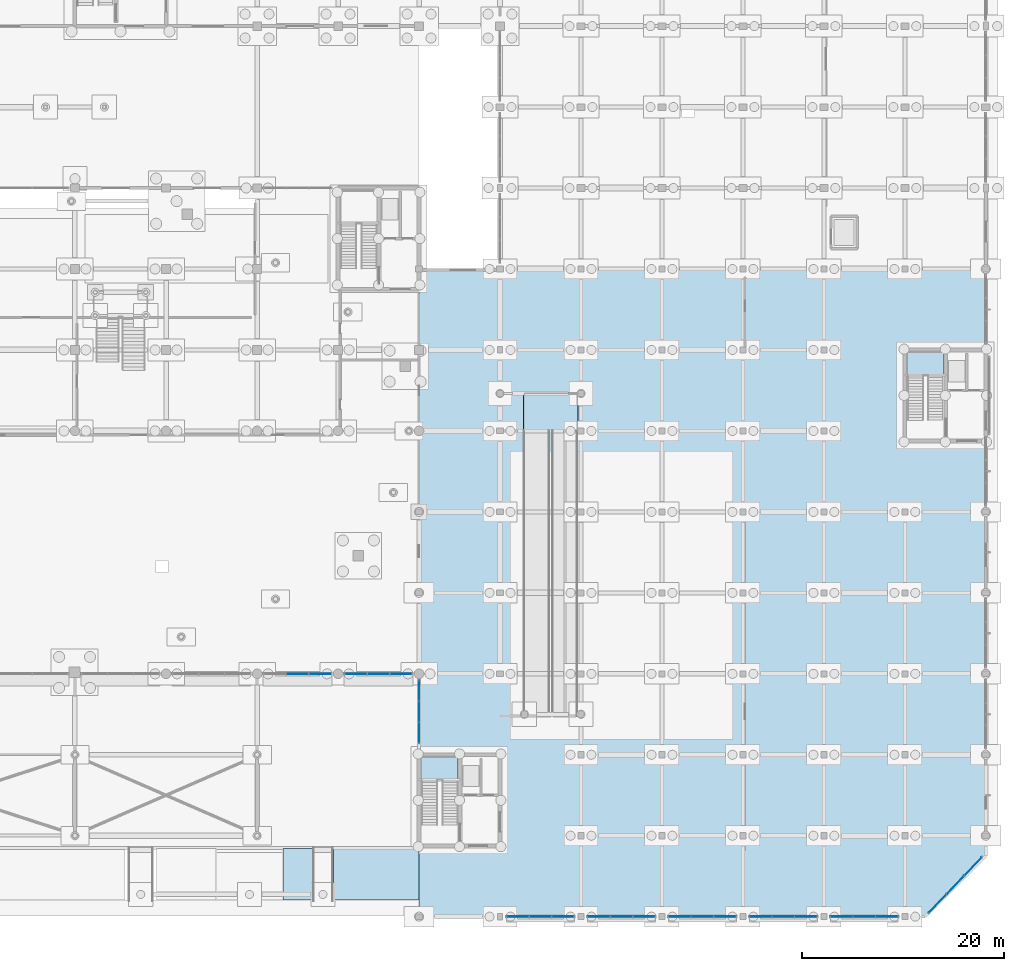
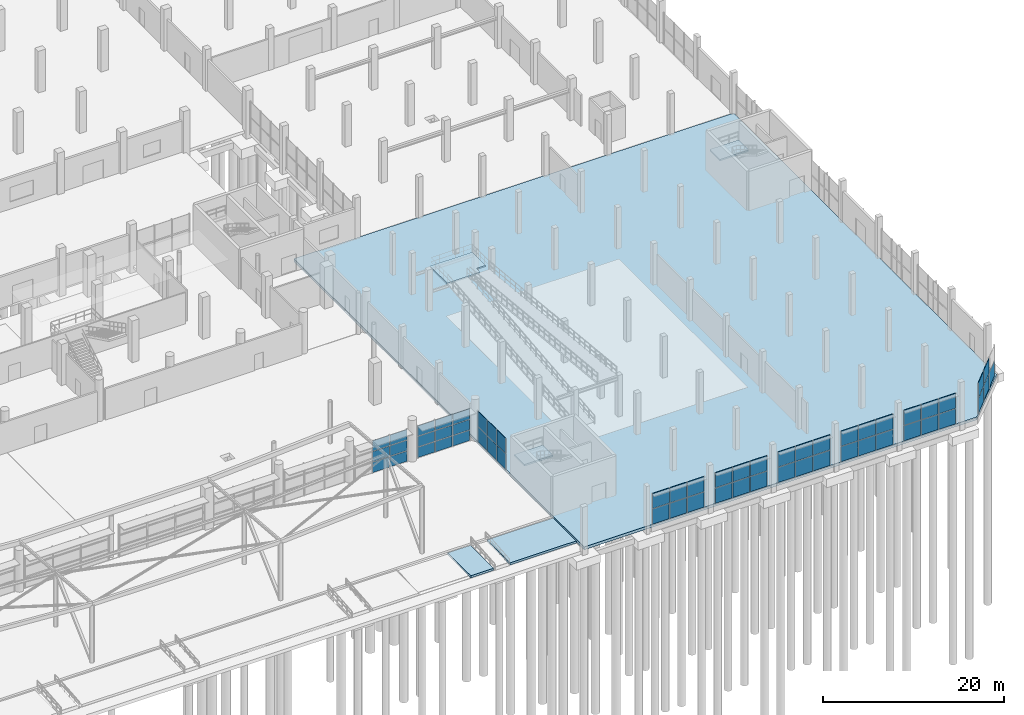
# One storey, part 67 of 98: 56 plates, 6 slabs, 12 elements without a shape of their own.
"""IFC4 building model written with IfcOpenShell, lengths in metres."""

from ifc_helpers import new_model, si_unit, derived_unit, direction, frame, origin, origin_2d, place, context, subcontext, project, spatial, polyline, rectangle, outline, extrude, material, layer, layer_set, type_object, element, aggregate, save


model = new_model("IFC4")

# Units and contexts
model_context = context("Model", 3, precision=1e-05, world=origin(), true_north=direction((0.0, 1.0)))
body_context = subcontext(model_context, "Body", "Model", "MODEL_VIEW")
ifc_project = project(units=[si_unit("LENGTHUNIT", "METRE"), si_unit("AREAUNIT", "SQUARE_METRE"), si_unit("VOLUMEUNIT", "CUBIC_METRE"), si_unit("PLANEANGLEUNIT", "RADIAN"), si_unit("MASSUNIT", "GRAM", prefix="KILO"), si_unit("THERMODYNAMICTEMPERATUREUNIT", "KELVIN"), derived_unit("THERMALTRANSMITTANCEUNIT", [(si_unit("POWERUNIT", "WATT"), 1), (si_unit("AREAUNIT", "SQUARE_METRE"), -1), (si_unit("THERMODYNAMICTEMPERATUREUNIT", "KELVIN"), -1)])], contexts=[model_context])

# Site, building, storey
site_placement = place(None, origin())
site = spatial("IfcSite", under=ifc_project, at=site_placement, CompositionType="ELEMENT")
building_placement = place(site_placement, origin())
building = spatial("IfcBuilding", under=site, at=building_placement, Name="Haiyu Intermodal Mobility Hub", CompositionType="ELEMENT")
storey_placement = place(building_placement, origin())
storey = spatial("IfcBuildingStorey", under=building, at=storey_placement, Name="L00", CompositionType="ELEMENT", Elevation=0.0)

# Curtain wall, plates
ifc_material_1 = material(Name="Low-e laminated insulating glass", Category="glass")
ifc_layer_1 = layer(ifc_material_1, 0.219970703125)
ifc_layer_set_1 = layer_set([ifc_layer_1], Name="Low-e laminated insulating glass")
curtain_wall_type_1 = type_object("IfcCurtainWallType", Name="CW-CW01", PredefinedType="NOTDEFINED", material=ifc_layer_set_1)
curtain_wall_1_placement = place(storey_placement, origin())
curtain_wall_1 = element("IfcCurtainWall", 1, at=curtain_wall_1_placement, inside=storey, type_object=curtain_wall_type_1, Name="Curtain Wall CW-V1S-L00-017", PredefinedType="NOTDEFINED")
ifc_layer_2 = layer(ifc_material_1, 0.035888671875)
ifc_layer_set_2 = layer_set([ifc_layer_2], Name="Low-e laminated insulating glass")
plate_type_1 = type_object("IfcPlateType", Name="PLT-CP01", PredefinedType="CURTAIN_PANEL", material=ifc_layer_set_2)
plate_1_placement = place(storey_placement, frame((142.0, 40.0, 0.03515625), z_axis=(0.0, 0.0, 1.0), x_axis=(1.0, 0.0, 0.0)))
plate_1 = element("IfcPlate", 2, at=plate_1_placement, type_object=plate_type_1, Name="CW-V1S-L00-017-PN04", PredefinedType="CURTAIN_PANEL", context=body_context, shape_type="SweptSolid", body=[
    extrude(rectangle(XDim=2.136962890625, YDim=0.035888671875, at=origin_2d()), origin(), (0.0, 0.0, 1.0), 1.3798828125),
])
plate_2_placement = place(storey_placement, frame((142.0, 40.0, 1.485107421875), z_axis=(0.0, 0.0, 1.0), x_axis=(1.0, 0.0, 0.0)))
plate_2 = element("IfcPlate", 3, at=plate_2_placement, type_object=plate_type_1, Name="CW-V1S-L00-017-PN05", PredefinedType="CURTAIN_PANEL", context=body_context, shape_type="SweptSolid", body=[
    extrude(rectangle(XDim=2.136962890625, YDim=0.035888671875, at=origin_2d()), origin(), (0.0, 0.0, 1.0), 1.3798828125),
])
plate_3_placement = place(storey_placement, frame((144.22705078125, 40.0, 0.03515625), z_axis=(0.0, 0.0, 1.0), x_axis=(1.0, 0.0, 0.0)))
plate_3 = element("IfcPlate", 4, at=plate_3_placement, type_object=plate_type_1, Name="CW-V1S-L00-017-PN07", PredefinedType="CURTAIN_PANEL", context=body_context, shape_type="SweptSolid", body=[
    extrude(rectangle(XDim=2.136962890625, YDim=0.035888671875, at=origin_2d()), origin(), (0.0, 0.0, 1.0), 1.3798828125),
])
plate_4_placement = place(storey_placement, frame((144.22705078125, 40.0, 1.485107421875), z_axis=(0.0, 0.0, 1.0), x_axis=(1.0, 0.0, 0.0)))
plate_4 = element("IfcPlate", 5, at=plate_4_placement, type_object=plate_type_1, Name="CW-V1S-L00-017-PN08", PredefinedType="CURTAIN_PANEL", context=body_context, shape_type="SweptSolid", body=[
    extrude(rectangle(XDim=2.136962890625, YDim=0.035888671875, at=origin_2d()), origin(), (0.0, 0.0, 1.0), 1.3798828125),
])

curtain_wall_2_placement = place(storey_placement, origin())
curtain_wall_2 = element("IfcCurtainWall", 6, at=curtain_wall_2_placement, inside=storey, type_object=curtain_wall_type_1, Name="Curtain Wall CW-V1S-L00-019", PredefinedType="NOTDEFINED")
plate_5_placement = place(storey_placement, frame((147.77294921875, 40.0, 0.03515625), z_axis=(0.0, 0.0, 1.0), x_axis=(1.0, 0.0, 0.0)))
plate_5 = element("IfcPlate", 7, at=plate_5_placement, type_object=plate_type_1, Name="CW-V1S-L00-019-PN01", PredefinedType="CURTAIN_PANEL", context=body_context, shape_type="SweptSolid", body=[
    extrude(rectangle(XDim=2.136962890625, YDim=0.035888671875, at=origin_2d()), origin(), (0.0, 0.0, 1.0), 1.3798828125),
])
plate_6_placement = place(storey_placement, frame((147.77294921875, 40.0, 1.485107421875), z_axis=(0.0, 0.0, 1.0), x_axis=(1.0, 0.0, 0.0)))
plate_6 = element("IfcPlate", 8, at=plate_6_placement, type_object=plate_type_1, Name="CW-V1S-L00-019-PN02", PredefinedType="CURTAIN_PANEL", context=body_context, shape_type="SweptSolid", body=[
    extrude(rectangle(XDim=2.136962890625, YDim=0.035888671875, at=origin_2d()), origin(), (0.0, 0.0, 1.0), 1.3798828125),
])
plate_7_placement = place(storey_placement, frame((150.0, 40.0, 0.03515625), z_axis=(0.0, 0.0, 1.0), x_axis=(1.0, 0.0, 0.0)))
plate_7 = element("IfcPlate", 9, at=plate_7_placement, type_object=plate_type_1, Name="CW-V1S-L00-019-PN04", PredefinedType="CURTAIN_PANEL", context=body_context, shape_type="SweptSolid", body=[
    extrude(rectangle(XDim=2.136962890625, YDim=0.035888671875, at=origin_2d()), origin(), (0.0, 0.0, 1.0), 1.3798828125),
])
plate_8_placement = place(storey_placement, frame((150.0, 40.0, 1.485107421875), z_axis=(0.0, 0.0, 1.0), x_axis=(1.0, 0.0, 0.0)))
plate_8 = element("IfcPlate", 10, at=plate_8_placement, type_object=plate_type_1, Name="CW-V1S-L00-019-PN05", PredefinedType="CURTAIN_PANEL", context=body_context, shape_type="SweptSolid", body=[
    extrude(rectangle(XDim=2.136962890625, YDim=0.035888671875, at=origin_2d()), origin(), (0.0, 0.0, 1.0), 1.3798828125),
])
plate_9_placement = place(storey_placement, frame((152.22705078125, 40.0, 0.03515625), z_axis=(0.0, 0.0, 1.0), x_axis=(1.0, 0.0, 0.0)))
plate_9 = element("IfcPlate", 11, at=plate_9_placement, type_object=plate_type_1, Name="CW-V1S-L00-019-PN07", PredefinedType="CURTAIN_PANEL", context=body_context, shape_type="SweptSolid", body=[
    extrude(rectangle(XDim=2.136962890625, YDim=0.035888671875, at=origin_2d()), origin(), (0.0, 0.0, 1.0), 1.3798828125),
])
plate_10_placement = place(storey_placement, frame((152.22705078125, 40.0, 1.485107421875), z_axis=(0.0, 0.0, 1.0), x_axis=(1.0, 0.0, 0.0)))
plate_10 = element("IfcPlate", 12, at=plate_10_placement, type_object=plate_type_1, Name="CW-V1S-L00-019-PN08", PredefinedType="CURTAIN_PANEL", context=body_context, shape_type="SweptSolid", body=[
    extrude(rectangle(XDim=2.136962890625, YDim=0.035888671875, at=origin_2d()), origin(), (0.0, 0.0, 1.0), 1.3798828125),
])

ifc_layer_3 = layer(ifc_material_1, 0.2099609375)
ifc_layer_set_3 = layer_set([ifc_layer_3], Name="Low-e laminated insulating glass")
curtain_wall_type_2 = type_object("IfcCurtainWallType", Name="CW-CW04", PredefinedType="NOTDEFINED", material=ifc_layer_set_3)
curtain_wall_3_placement = place(storey_placement, origin())
curtain_wall_3 = element("IfcCurtainWall", 13, at=curtain_wall_3_placement, inside=storey, type_object=curtain_wall_type_2, Name="Curtain Wall CW-V5S-L00-084", PredefinedType="NOTDEFINED")
ifc_material_2 = material(Name="Anodised aluminium 6063-T6", Category="aluminium")
ifc_layer_4 = layer(ifc_material_2, 0.0419921875)
ifc_layer_set_4 = layer_set([ifc_layer_4], Name="Anodised aluminium 6063-T6")
plate_type_2 = type_object("IfcPlateType", Name="PLT-CP02", PredefinedType="CURTAIN_PANEL", material=ifc_layer_set_4)
plate_11_placement = place(storey_placement, frame((163.77294921875, 16.0, 0.03515625), z_axis=(0.0, 0.0, 1.0), x_axis=(1.0, 0.0, 0.0)))
plate_11 = element("IfcPlate", 14, at=plate_11_placement, type_object=plate_type_2, Name="CW-V5S-L00-084-PN01", PredefinedType="CURTAIN_PANEL", context=body_context, shape_type="SweptSolid", body=[
    extrude(rectangle(XDim=2.136962890625, YDim=0.0419921875, at=origin_2d()), origin(), (0.0, 0.0, 1.0), 2.030029296875),
])
plate_12_placement = place(storey_placement, frame((166.0, 16.0, 0.03515625), z_axis=(0.0, 0.0, 1.0), x_axis=(1.0, 0.0, 0.0)))
plate_12 = element("IfcPlate", 15, at=plate_12_placement, type_object=plate_type_2, Name="CW-V5S-L00-084-PN03", PredefinedType="CURTAIN_PANEL", context=body_context, shape_type="SweptSolid", body=[
    extrude(rectangle(XDim=2.136962890625, YDim=0.0419921875, at=origin_2d()), origin(), (0.0, 0.0, 1.0), 2.030029296875),
])
plate_13_placement = place(storey_placement, frame((168.22705078125, 16.0, 0.03515625), z_axis=(0.0, 0.0, 1.0), x_axis=(1.0, 0.0, 0.0)))
plate_13 = element("IfcPlate", 16, at=plate_13_placement, type_object=plate_type_2, Name="CW-V5S-L00-084-PN05", PredefinedType="CURTAIN_PANEL", context=body_context, shape_type="SweptSolid", body=[
    extrude(rectangle(XDim=2.136962890625, YDim=0.0419921875, at=origin_2d()), origin(), (0.0, 0.0, 1.0), 2.030029296875),
])

curtain_wall_4_placement = place(storey_placement, origin())
curtain_wall_4 = element("IfcCurtainWall", 17, at=curtain_wall_4_placement, inside=storey, type_object=curtain_wall_type_2, Name="Curtain Wall CW-V5S-L00-085", PredefinedType="NOTDEFINED")
plate_14_placement = place(storey_placement, frame((171.77294921875, 16.0, 0.03515625), z_axis=(0.0, 0.0, 1.0), x_axis=(1.0, 0.0, 0.0)))
plate_14 = element("IfcPlate", 18, at=plate_14_placement, type_object=plate_type_2, Name="CW-V5S-L00-085-PN01", PredefinedType="CURTAIN_PANEL", context=body_context, shape_type="SweptSolid", body=[
    extrude(rectangle(XDim=2.136962890625, YDim=0.0419921875, at=origin_2d()), origin(), (0.0, 0.0, 1.0), 2.030029296875),
])
plate_15_placement = place(storey_placement, frame((174.0, 16.0, 0.03515625), z_axis=(0.0, 0.0, 1.0), x_axis=(1.0, 0.0, 0.0)))
plate_15 = element("IfcPlate", 19, at=plate_15_placement, type_object=plate_type_2, Name="CW-V5S-L00-085-PN03", PredefinedType="CURTAIN_PANEL", context=body_context, shape_type="SweptSolid", body=[
    extrude(rectangle(XDim=2.136962890625, YDim=0.0419921875, at=origin_2d()), origin(), (0.0, 0.0, 1.0), 2.030029296875),
])
plate_16_placement = place(storey_placement, frame((176.22705078125, 16.0, 0.03515625), z_axis=(0.0, 0.0, 1.0), x_axis=(1.0, 0.0, 0.0)))
plate_16 = element("IfcPlate", 20, at=plate_16_placement, type_object=plate_type_2, Name="CW-V5S-L00-085-PN05", PredefinedType="CURTAIN_PANEL", context=body_context, shape_type="SweptSolid", body=[
    extrude(rectangle(XDim=2.136962890625, YDim=0.0419921875, at=origin_2d()), origin(), (0.0, 0.0, 1.0), 2.030029296875),
])

curtain_wall_5_placement = place(storey_placement, origin())
curtain_wall_5 = element("IfcCurtainWall", 21, at=curtain_wall_5_placement, inside=storey, type_object=curtain_wall_type_2, Name="Curtain Wall CW-V5S-L00-086", PredefinedType="NOTDEFINED")
plate_17_placement = place(storey_placement, frame((179.77294921875, 16.0, 0.03515625), z_axis=(0.0, 0.0, 1.0), x_axis=(1.0, 0.0, 0.0)))
plate_17 = element("IfcPlate", 22, at=plate_17_placement, type_object=plate_type_2, Name="CW-V5S-L00-086-PN01", PredefinedType="CURTAIN_PANEL", context=body_context, shape_type="SweptSolid", body=[
    extrude(rectangle(XDim=2.136962890625, YDim=0.0419921875, at=origin_2d()), origin(), (0.0, 0.0, 1.0), 2.030029296875),
])
plate_18_placement = place(storey_placement, frame((182.0, 16.0, 0.03515625), z_axis=(0.0, 0.0, 1.0), x_axis=(1.0, 0.0, 0.0)))
plate_18 = element("IfcPlate", 23, at=plate_18_placement, type_object=plate_type_2, Name="CW-V5S-L00-086-PN03", PredefinedType="CURTAIN_PANEL", context=body_context, shape_type="SweptSolid", body=[
    extrude(rectangle(XDim=2.136962890625, YDim=0.0419921875, at=origin_2d()), origin(), (0.0, 0.0, 1.0), 2.030029296875),
])
plate_19_placement = place(storey_placement, frame((184.22705078125, 16.0, 0.03515625), z_axis=(0.0, 0.0, 1.0), x_axis=(1.0, 0.0, 0.0)))
plate_19 = element("IfcPlate", 24, at=plate_19_placement, type_object=plate_type_2, Name="CW-V5S-L00-086-PN05", PredefinedType="CURTAIN_PANEL", context=body_context, shape_type="SweptSolid", body=[
    extrude(rectangle(XDim=2.136962890625, YDim=0.0419921875, at=origin_2d()), origin(), (0.0, 0.0, 1.0), 2.030029296875),
])

curtain_wall_6_placement = place(storey_placement, origin())
curtain_wall_6 = element("IfcCurtainWall", 25, at=curtain_wall_6_placement, inside=storey, type_object=curtain_wall_type_2, Name="Curtain Wall CW-V5S-L00-087", PredefinedType="NOTDEFINED")
plate_20_placement = place(storey_placement, frame((187.77294921875, 16.0, 0.03515625), z_axis=(0.0, 0.0, 1.0), x_axis=(1.0, 0.0, 0.0)))
plate_20 = element("IfcPlate", 26, at=plate_20_placement, type_object=plate_type_2, Name="CW-V5S-L00-087-PN01", PredefinedType="CURTAIN_PANEL", context=body_context, shape_type="SweptSolid", body=[
    extrude(rectangle(XDim=2.136962890625, YDim=0.0419921875, at=origin_2d()), origin(), (0.0, 0.0, 1.0), 2.030029296875),
])
plate_21_placement = place(storey_placement, frame((190.0, 16.0, 0.03515625), z_axis=(0.0, 0.0, 1.0), x_axis=(1.0, 0.0, 0.0)))
plate_21 = element("IfcPlate", 27, at=plate_21_placement, type_object=plate_type_2, Name="CW-V5S-L00-087-PN03", PredefinedType="CURTAIN_PANEL", context=body_context, shape_type="SweptSolid", body=[
    extrude(rectangle(XDim=2.136962890625, YDim=0.0419921875, at=origin_2d()), origin(), (0.0, 0.0, 1.0), 2.030029296875),
])
plate_22_placement = place(storey_placement, frame((192.22705078125, 16.0, 0.03515625), z_axis=(0.0, 0.0, 1.0), x_axis=(1.0, 0.0, 0.0)))
plate_22 = element("IfcPlate", 28, at=plate_22_placement, type_object=plate_type_2, Name="CW-V5S-L00-087-PN05", PredefinedType="CURTAIN_PANEL", context=body_context, shape_type="SweptSolid", body=[
    extrude(rectangle(XDim=2.136962890625, YDim=0.0419921875, at=origin_2d()), origin(), (0.0, 0.0, 1.0), 2.030029296875),
])

curtain_wall_7_placement = place(storey_placement, origin())
curtain_wall_7 = element("IfcCurtainWall", 29, at=curtain_wall_7_placement, inside=storey, type_object=curtain_wall_type_2, Name="Curtain Wall CW-V5S-L00-088", PredefinedType="NOTDEFINED")
plate_23_placement = place(storey_placement, frame((195.77294921875, 16.0, 0.03515625), z_axis=(0.0, 0.0, 1.0), x_axis=(1.0, 0.0, 0.0)))
plate_23 = element("IfcPlate", 30, at=plate_23_placement, type_object=plate_type_2, Name="CW-V5S-L00-088-PN01", PredefinedType="CURTAIN_PANEL", context=body_context, shape_type="SweptSolid", body=[
    extrude(rectangle(XDim=2.136962890625, YDim=0.0419921875, at=origin_2d()), origin(), (0.0, 0.0, 1.0), 2.030029296875),
])
plate_24_placement = place(storey_placement, frame((198.0, 16.0, 0.03515625), z_axis=(0.0, 0.0, 1.0), x_axis=(1.0, 0.0, 0.0)))
plate_24 = element("IfcPlate", 31, at=plate_24_placement, type_object=plate_type_2, Name="CW-V5S-L00-088-PN03", PredefinedType="CURTAIN_PANEL", context=body_context, shape_type="SweptSolid", body=[
    extrude(rectangle(XDim=2.136962890625, YDim=0.0419921875, at=origin_2d()), origin(), (0.0, 0.0, 1.0), 2.030029296875),
])
plate_25_placement = place(storey_placement, frame((200.22705078125, 16.0, 0.03515625), z_axis=(0.0, 0.0, 1.0), x_axis=(1.0, 0.0, 0.0)))
plate_25 = element("IfcPlate", 32, at=plate_25_placement, type_object=plate_type_2, Name="CW-V5S-L00-088-PN05", PredefinedType="CURTAIN_PANEL", context=body_context, shape_type="SweptSolid", body=[
    extrude(rectangle(XDim=2.136962890625, YDim=0.0419921875, at=origin_2d()), origin(), (0.0, 0.0, 1.0), 2.030029296875),
])

curtain_wall_8_placement = place(storey_placement, origin())
curtain_wall_8 = element("IfcCurtainWall", 33, at=curtain_wall_8_placement, inside=storey, type_object=curtain_wall_type_2, Name="Curtain Wall CW-V5W-L00-093", PredefinedType="NOTDEFINED")
plate_26_placement = place(storey_placement, frame((154.0, 38.31005859375, 0.03515625), z_axis=(0.0, 0.0, 1.0), x_axis=(0.0, -1.0, 0.0)))
plate_26 = element("IfcPlate", 34, at=plate_26_placement, type_object=plate_type_2, Name="CW-V5W-L00-093-PN01", PredefinedType="CURTAIN_PANEL", context=body_context, shape_type="SweptSolid", body=[
    extrude(rectangle(XDim=1.969970703125, YDim=0.0419921875, at=origin_2d()), origin(), (0.0, 0.0, 1.0), 2.030029296875),
])
plate_27_placement = place(storey_placement, frame((154.0, 36.25, 0.03515625), z_axis=(0.0, 0.0, 1.0), x_axis=(0.0, -1.0, 0.0)))
plate_27 = element("IfcPlate", 35, at=plate_27_placement, type_object=plate_type_2, Name="CW-V5W-L00-093-PN03", PredefinedType="CURTAIN_PANEL", context=body_context, shape_type="SweptSolid", body=[
    extrude(rectangle(XDim=1.969970703125, YDim=0.0419921875, at=origin_2d()), origin(), (0.0, 0.0, 1.0), 2.030029296875),
])
plate_28_placement = place(storey_placement, frame((154.0, 34.18994140625, 0.03515625), z_axis=(0.0, 0.0, 1.0), x_axis=(0.0, -1.0, 0.0)))
plate_28 = element("IfcPlate", 36, at=plate_28_placement, type_object=plate_type_2, Name="CW-V5W-L00-093-PN05", PredefinedType="CURTAIN_PANEL", context=body_context, shape_type="SweptSolid", body=[
    extrude(rectangle(XDim=1.969970703125, YDim=0.0419921875, at=origin_2d()), origin(), (0.0, 0.0, 1.0), 2.030029296875),
])

curtain_wall_9_placement = place(storey_placement, origin())
curtain_wall_9 = element("IfcCurtainWall", 37, at=curtain_wall_9_placement, inside=storey, type_object=curtain_wall_type_2, Name="Curtain Wall CW-V5CH-L00-178", PredefinedType="NOTDEFINED")
plate_29_placement = place(storey_placement, frame((205.251953125, 17.2939453125, 0.03515625), z_axis=(0.0, 0.0, 1.0), x_axis=(0.690630691319, 0.723207610723, 0.0)))
plate_29 = element("IfcPlate", 38, at=plate_29_placement, type_object=plate_type_2, Name="CW-V5CH-L00-178-PN01", PredefinedType="CURTAIN_PANEL", context=body_context, shape_type="SweptSolid", body=[
    extrude(rectangle(XDim=2.44091796875, YDim=0.0419921875, at=origin_2d()), origin(), (0.0, 0.0, 1.0), 2.030029296875),
])
plate_30_placement = place(storey_placement, frame((207.0, 19.125, 0.03515625), z_axis=(0.0, 0.0, 1.0), x_axis=(0.690630691319, 0.723207610723, 0.0)))
plate_30 = element("IfcPlate", 39, at=plate_30_placement, type_object=plate_type_2, Name="CW-V5CH-L00-178-PN03", PredefinedType="CURTAIN_PANEL", context=body_context, shape_type="SweptSolid", body=[
    extrude(rectangle(XDim=2.44091796875, YDim=0.0419921875, at=origin_2d()), origin(), (0.0, 0.0, 1.0), 2.030029296875),
])
plate_31_placement = place(storey_placement, frame((208.748046875, 20.9560546875, 0.03515625), z_axis=(0.0, 0.0, 1.0), x_axis=(0.690630691319, 0.723207610723, 0.0)))
plate_31 = element("IfcPlate", 40, at=plate_31_placement, type_object=plate_type_2, Name="CW-V5CH-L00-178-PN05", PredefinedType="CURTAIN_PANEL", context=body_context, shape_type="SweptSolid", body=[
    extrude(rectangle(XDim=2.44091796875, YDim=0.0419921875, at=origin_2d()), origin(), (0.0, 0.0, 1.0), 2.030029296875),
])

# Plate
ifc_layer_5 = layer(ifc_material_1, 0.0439453125)
ifc_layer_set_5 = layer_set([ifc_layer_5], Name="Low-e laminated insulating glass")
plate_type_3 = type_object("IfcPlateType", Name="PLT-CP04", PredefinedType="CURTAIN_PANEL", material=ifc_layer_set_5)
plate_32_placement = place(storey_placement, frame((142.0, 40.0, 2.93505859375), z_axis=(0.0, 0.0, 1.0), x_axis=(1.0, 0.0, 0.0)))
plate_32 = element("IfcPlate", 41, at=plate_32_placement, type_object=plate_type_3, Name="CW-V1S-L00-017-PN06", PredefinedType="CURTAIN_PANEL", context=body_context, shape_type="SweptSolid", body=[
    extrude(rectangle(XDim=2.136962890625, YDim=0.0439453125, at=origin_2d()), origin(), (0.0, 0.0, 1.0), 1.3798828125),
])

plate_33_placement = place(storey_placement, frame((144.22705078125, 40.0, 2.93505859375), z_axis=(0.0, 0.0, 1.0), x_axis=(1.0, 0.0, 0.0)))
plate_33 = element("IfcPlate", 42, at=plate_33_placement, type_object=plate_type_3, Name="CW-V1S-L00-017-PN09", PredefinedType="CURTAIN_PANEL", context=body_context, shape_type="SweptSolid", body=[
    extrude(rectangle(XDim=2.136962890625, YDim=0.0439453125, at=origin_2d()), origin(), (0.0, 0.0, 1.0), 1.3798828125),
])

aggregate(curtain_wall_1, [plate_1, plate_2, plate_32, plate_3, plate_4, plate_33])

plate_34_placement = place(storey_placement, frame((147.77294921875, 40.0, 2.93505859375), z_axis=(0.0, 0.0, 1.0), x_axis=(1.0, 0.0, 0.0)))
plate_34 = element("IfcPlate", 43, at=plate_34_placement, type_object=plate_type_3, Name="CW-V1S-L00-019-PN03", PredefinedType="CURTAIN_PANEL", context=body_context, shape_type="SweptSolid", body=[
    extrude(rectangle(XDim=2.136962890625, YDim=0.0439453125, at=origin_2d()), origin(), (0.0, 0.0, 1.0), 1.3798828125),
])

plate_35_placement = place(storey_placement, frame((150.0, 40.0, 2.93505859375), z_axis=(0.0, 0.0, 1.0), x_axis=(1.0, 0.0, 0.0)))
plate_35 = element("IfcPlate", 44, at=plate_35_placement, type_object=plate_type_3, Name="CW-V1S-L00-019-PN06", PredefinedType="CURTAIN_PANEL", context=body_context, shape_type="SweptSolid", body=[
    extrude(rectangle(XDim=2.136962890625, YDim=0.0439453125, at=origin_2d()), origin(), (0.0, 0.0, 1.0), 1.3798828125),
])

plate_36_placement = place(storey_placement, frame((152.22705078125, 40.0, 2.93505859375), z_axis=(0.0, 0.0, 1.0), x_axis=(1.0, 0.0, 0.0)))
plate_36 = element("IfcPlate", 45, at=plate_36_placement, type_object=plate_type_3, Name="CW-V1S-L00-019-PN09", PredefinedType="CURTAIN_PANEL", context=body_context, shape_type="SweptSolid", body=[
    extrude(rectangle(XDim=2.136962890625, YDim=0.0439453125, at=origin_2d()), origin(), (0.0, 0.0, 1.0), 1.3798828125),
])

aggregate(curtain_wall_2, [plate_5, plate_6, plate_34, plate_7, plate_8, plate_35, plate_9, plate_10, plate_36])

plate_37_placement = place(storey_placement, frame((163.77294921875, 16.0, 2.134765625), z_axis=(0.0, 0.0, 1.0), x_axis=(1.0, 0.0, 0.0)))
plate_37 = element("IfcPlate", 46, at=plate_37_placement, type_object=plate_type_3, Name="CW-V5S-L00-084-PN02", PredefinedType="CURTAIN_PANEL", context=body_context, shape_type="SweptSolid", body=[
    extrude(rectangle(XDim=2.136962890625, YDim=0.0439453125, at=origin_2d()), origin(), (0.0, 0.0, 1.0), 2.030029296875),
])

plate_38_placement = place(storey_placement, frame((166.0, 16.0, 2.134765625), z_axis=(0.0, 0.0, 1.0), x_axis=(1.0, 0.0, 0.0)))
plate_38 = element("IfcPlate", 47, at=plate_38_placement, type_object=plate_type_3, Name="CW-V5S-L00-084-PN04", PredefinedType="CURTAIN_PANEL", context=body_context, shape_type="SweptSolid", body=[
    extrude(rectangle(XDim=2.136962890625, YDim=0.0439453125, at=origin_2d()), origin(), (0.0, 0.0, 1.0), 2.030029296875),
])

plate_39_placement = place(storey_placement, frame((168.22705078125, 16.0, 2.134765625), z_axis=(0.0, 0.0, 1.0), x_axis=(1.0, 0.0, 0.0)))
plate_39 = element("IfcPlate", 48, at=plate_39_placement, type_object=plate_type_3, Name="CW-V5S-L00-084-PN06", PredefinedType="CURTAIN_PANEL", context=body_context, shape_type="SweptSolid", body=[
    extrude(rectangle(XDim=2.136962890625, YDim=0.0439453125, at=origin_2d()), origin(), (0.0, 0.0, 1.0), 2.030029296875),
])

aggregate(curtain_wall_3, [plate_11, plate_37, plate_12, plate_38, plate_13, plate_39])

plate_40_placement = place(storey_placement, frame((171.77294921875, 16.0, 2.134765625), z_axis=(0.0, 0.0, 1.0), x_axis=(1.0, 0.0, 0.0)))
plate_40 = element("IfcPlate", 49, at=plate_40_placement, type_object=plate_type_3, Name="CW-V5S-L00-085-PN02", PredefinedType="CURTAIN_PANEL", context=body_context, shape_type="SweptSolid", body=[
    extrude(rectangle(XDim=2.136962890625, YDim=0.0439453125, at=origin_2d()), origin(), (0.0, 0.0, 1.0), 2.030029296875),
])

plate_41_placement = place(storey_placement, frame((174.0, 16.0, 2.134765625), z_axis=(0.0, 0.0, 1.0), x_axis=(1.0, 0.0, 0.0)))
plate_41 = element("IfcPlate", 50, at=plate_41_placement, type_object=plate_type_3, Name="CW-V5S-L00-085-PN04", PredefinedType="CURTAIN_PANEL", context=body_context, shape_type="SweptSolid", body=[
    extrude(rectangle(XDim=2.136962890625, YDim=0.0439453125, at=origin_2d()), origin(), (0.0, 0.0, 1.0), 2.030029296875),
])

plate_42_placement = place(storey_placement, frame((176.22705078125, 16.0, 2.134765625), z_axis=(0.0, 0.0, 1.0), x_axis=(1.0, 0.0, 0.0)))
plate_42 = element("IfcPlate", 51, at=plate_42_placement, type_object=plate_type_3, Name="CW-V5S-L00-085-PN06", PredefinedType="CURTAIN_PANEL", context=body_context, shape_type="SweptSolid", body=[
    extrude(rectangle(XDim=2.136962890625, YDim=0.0439453125, at=origin_2d()), origin(), (0.0, 0.0, 1.0), 2.030029296875),
])

aggregate(curtain_wall_4, [plate_14, plate_40, plate_15, plate_41, plate_16, plate_42])

plate_43_placement = place(storey_placement, frame((179.77294921875, 16.0, 2.134765625), z_axis=(0.0, 0.0, 1.0), x_axis=(1.0, 0.0, 0.0)))
plate_43 = element("IfcPlate", 52, at=plate_43_placement, type_object=plate_type_3, Name="CW-V5S-L00-086-PN02", PredefinedType="CURTAIN_PANEL", context=body_context, shape_type="SweptSolid", body=[
    extrude(rectangle(XDim=2.136962890625, YDim=0.0439453125, at=origin_2d()), origin(), (0.0, 0.0, 1.0), 2.030029296875),
])

plate_44_placement = place(storey_placement, frame((182.0, 16.0, 2.134765625), z_axis=(0.0, 0.0, 1.0), x_axis=(1.0, 0.0, 0.0)))
plate_44 = element("IfcPlate", 53, at=plate_44_placement, type_object=plate_type_3, Name="CW-V5S-L00-086-PN04", PredefinedType="CURTAIN_PANEL", context=body_context, shape_type="SweptSolid", body=[
    extrude(rectangle(XDim=2.136962890625, YDim=0.0439453125, at=origin_2d()), origin(), (0.0, 0.0, 1.0), 2.030029296875),
])

plate_45_placement = place(storey_placement, frame((184.22705078125, 16.0, 2.134765625), z_axis=(0.0, 0.0, 1.0), x_axis=(1.0, 0.0, 0.0)))
plate_45 = element("IfcPlate", 54, at=plate_45_placement, type_object=plate_type_3, Name="CW-V5S-L00-086-PN06", PredefinedType="CURTAIN_PANEL", context=body_context, shape_type="SweptSolid", body=[
    extrude(rectangle(XDim=2.136962890625, YDim=0.0439453125, at=origin_2d()), origin(), (0.0, 0.0, 1.0), 2.030029296875),
])

aggregate(curtain_wall_5, [plate_17, plate_43, plate_18, plate_44, plate_19, plate_45])

plate_46_placement = place(storey_placement, frame((187.77294921875, 16.0, 2.134765625), z_axis=(0.0, 0.0, 1.0), x_axis=(1.0, 0.0, 0.0)))
plate_46 = element("IfcPlate", 55, at=plate_46_placement, type_object=plate_type_3, Name="CW-V5S-L00-087-PN02", PredefinedType="CURTAIN_PANEL", context=body_context, shape_type="SweptSolid", body=[
    extrude(rectangle(XDim=2.136962890625, YDim=0.0439453125, at=origin_2d()), origin(), (0.0, 0.0, 1.0), 2.030029296875),
])

plate_47_placement = place(storey_placement, frame((190.0, 16.0, 2.134765625), z_axis=(0.0, 0.0, 1.0), x_axis=(1.0, 0.0, 0.0)))
plate_47 = element("IfcPlate", 56, at=plate_47_placement, type_object=plate_type_3, Name="CW-V5S-L00-087-PN04", PredefinedType="CURTAIN_PANEL", context=body_context, shape_type="SweptSolid", body=[
    extrude(rectangle(XDim=2.136962890625, YDim=0.0439453125, at=origin_2d()), origin(), (0.0, 0.0, 1.0), 2.030029296875),
])

plate_48_placement = place(storey_placement, frame((192.22705078125, 16.0, 2.134765625), z_axis=(0.0, 0.0, 1.0), x_axis=(1.0, 0.0, 0.0)))
plate_48 = element("IfcPlate", 57, at=plate_48_placement, type_object=plate_type_3, Name="CW-V5S-L00-087-PN06", PredefinedType="CURTAIN_PANEL", context=body_context, shape_type="SweptSolid", body=[
    extrude(rectangle(XDim=2.136962890625, YDim=0.0439453125, at=origin_2d()), origin(), (0.0, 0.0, 1.0), 2.030029296875),
])

aggregate(curtain_wall_6, [plate_20, plate_46, plate_21, plate_47, plate_22, plate_48])

plate_49_placement = place(storey_placement, frame((195.77294921875, 16.0, 2.134765625), z_axis=(0.0, 0.0, 1.0), x_axis=(1.0, 0.0, 0.0)))
plate_49 = element("IfcPlate", 58, at=plate_49_placement, type_object=plate_type_3, Name="CW-V5S-L00-088-PN02", PredefinedType="CURTAIN_PANEL", context=body_context, shape_type="SweptSolid", body=[
    extrude(rectangle(XDim=2.136962890625, YDim=0.0439453125, at=origin_2d()), origin(), (0.0, 0.0, 1.0), 2.030029296875),
])

plate_50_placement = place(storey_placement, frame((198.0, 16.0, 2.134765625), z_axis=(0.0, 0.0, 1.0), x_axis=(1.0, 0.0, 0.0)))
plate_50 = element("IfcPlate", 59, at=plate_50_placement, type_object=plate_type_3, Name="CW-V5S-L00-088-PN04", PredefinedType="CURTAIN_PANEL", context=body_context, shape_type="SweptSolid", body=[
    extrude(rectangle(XDim=2.136962890625, YDim=0.0439453125, at=origin_2d()), origin(), (0.0, 0.0, 1.0), 2.030029296875),
])

plate_51_placement = place(storey_placement, frame((200.22705078125, 16.0, 2.134765625), z_axis=(0.0, 0.0, 1.0), x_axis=(1.0, 0.0, 0.0)))
plate_51 = element("IfcPlate", 60, at=plate_51_placement, type_object=plate_type_3, Name="CW-V5S-L00-088-PN06", PredefinedType="CURTAIN_PANEL", context=body_context, shape_type="SweptSolid", body=[
    extrude(rectangle(XDim=2.136962890625, YDim=0.0439453125, at=origin_2d()), origin(), (0.0, 0.0, 1.0), 2.030029296875),
])

aggregate(curtain_wall_7, [plate_23, plate_49, plate_24, plate_50, plate_25, plate_51])

plate_52_placement = place(storey_placement, frame((154.0, 38.31005859375, 2.134765625), z_axis=(0.0, 0.0, 1.0), x_axis=(0.0, -1.0, 0.0)))
plate_52 = element("IfcPlate", 61, at=plate_52_placement, type_object=plate_type_3, Name="CW-V5W-L00-093-PN02", PredefinedType="CURTAIN_PANEL", context=body_context, shape_type="SweptSolid", body=[
    extrude(rectangle(XDim=1.969970703125, YDim=0.0439453125, at=origin_2d()), origin(), (0.0, 0.0, 1.0), 2.030029296875),
])

plate_53_placement = place(storey_placement, frame((154.0, 36.25, 2.134765625), z_axis=(0.0, 0.0, 1.0), x_axis=(0.0, -1.0, 0.0)))
plate_53 = element("IfcPlate", 62, at=plate_53_placement, type_object=plate_type_3, Name="CW-V5W-L00-093-PN04", PredefinedType="CURTAIN_PANEL", context=body_context, shape_type="SweptSolid", body=[
    extrude(rectangle(XDim=1.969970703125, YDim=0.0439453125, at=origin_2d()), origin(), (0.0, 0.0, 1.0), 2.030029296875),
])

plate_54_placement = place(storey_placement, frame((154.0, 34.18994140625, 2.134765625), z_axis=(0.0, 0.0, 1.0), x_axis=(0.0, -1.0, 0.0)))
plate_54 = element("IfcPlate", 63, at=plate_54_placement, type_object=plate_type_3, Name="CW-V5W-L00-093-PN06", PredefinedType="CURTAIN_PANEL", context=body_context, shape_type="SweptSolid", body=[
    extrude(rectangle(XDim=1.969970703125, YDim=0.0439453125, at=origin_2d()), origin(), (0.0, 0.0, 1.0), 2.030029296875),
])

aggregate(curtain_wall_8, [plate_26, plate_52, plate_27, plate_53, plate_28, plate_54])

plate_55_placement = place(storey_placement, frame((205.251953125, 17.2939453125, 2.134765625), z_axis=(0.0, 0.0, 1.0), x_axis=(0.690630691319, 0.723207610723, 0.0)))
plate_55 = element("IfcPlate", 64, at=plate_55_placement, type_object=plate_type_3, Name="CW-V5CH-L00-178-PN02", PredefinedType="CURTAIN_PANEL", context=body_context, shape_type="SweptSolid", body=[
    extrude(rectangle(XDim=2.44091796875, YDim=0.0439453125, at=origin_2d()), origin(), (0.0, 0.0, 1.0), 2.030029296875),
])

plate_56_placement = place(storey_placement, frame((207.0, 19.125, 2.134765625), z_axis=(0.0, 0.0, 1.0), x_axis=(0.690630691319, 0.723207610723, 0.0)))
plate_56 = element("IfcPlate", 65, at=plate_56_placement, type_object=plate_type_3, Name="CW-V5CH-L00-178-PN04", PredefinedType="CURTAIN_PANEL", context=body_context, shape_type="SweptSolid", body=[
    extrude(rectangle(XDim=2.44091796875, YDim=0.0439453125, at=origin_2d()), origin(), (0.0, 0.0, 1.0), 2.030029296875),
])

aggregate(curtain_wall_9, [plate_29, plate_55, plate_30, plate_56, plate_31])

# Slab
ifc_material_3 = material(Name="Concrete C40", Category="concrete")
ifc_layer_6 = layer(ifc_material_3, 0.3798828125)
ifc_layer_set_6 = layer_set([ifc_layer_6], Name="Concrete C40")
slab_type_1 = type_object("IfcSlabType", Name="SLB-SL02", PredefinedType="BASESLAB", material=ifc_layer_set_6)
slab_1_placement = place(storey_placement, frame((0.0, 0.0, -0.3798828125)))
element("IfcSlab", 66, at=slab_1_placement, inside=storey, type_object=slab_type_1, Name="L00 Bicycle Store & Repair Base Slab", PredefinedType="BASESLAB", context=body_context, shape_type="SweptSolid", body=[
    extrude(outline(polyline([(154.02001953125, 16.0), (204.0, 16.0), (210.0, 22.0), (210.0, 79.97998046875), (154.02001953125, 79.97998046875), (154.02001953125, 16.0)])), origin(), (0.0, 0.0, 1.0), 0.3798828125),
])

# Ramp, slab
ifc_layer_7 = layer(ifc_material_3, 0.260009765625)
ifc_layer_set_7 = layer_set([ifc_layer_7], Name="Concrete C40")
ramp_type = type_object("IfcRampType", Name="RMP-RM02", PredefinedType="STRAIGHT_RUN_RAMP", material=ifc_layer_set_7)
ramp_placement = place(storey_placement, origin())
ramp = element("IfcRamp", 67, at=ramp_placement, inside=storey, type_object=ramp_type, Name="Bicycle Ramp L00", PredefinedType="STRAIGHT_RUN_RAMP")
ifc_layer_8 = layer(ifc_material_3, 0.2099609375)
ifc_layer_set_8 = layer_set([ifc_layer_8], Name="Concrete C40")
slab_type_2 = type_object("IfcSlabType", Name="SLB-SL13", PredefinedType="LANDING", material=ifc_layer_set_8)
slab_2_placement = place(storey_placement, frame((0.0, 0.0, 2.590087890625)))
slab_2 = element("IfcSlab", 68, at=slab_2_placement, type_object=slab_type_2, Name="RMP-BIKE-L00-LND", PredefinedType="LANDING", context=body_context, shape_type="SweptSolid", body=[
    extrude(outline(polyline([(164.300048828125, 64.0), (168.511962890625, 64.0), (168.511962890625, 64.8359375), (169.699951171875, 64.8359375), (169.699951171875, 67.800048828125), (164.300048828125, 67.800048828125), (164.300048828125, 64.0)])), origin(), (0.0, 0.0, 1.0), 0.2099609375),
])
aggregate(ramp, [slab_2])

# Stair, slab
stair_type = type_object("IfcStairType", Name="STR-ST01", PredefinedType="HALF_TURN_STAIR", material=ifc_material_3)
stair_1_placement = place(storey_placement, origin())
stair_1 = element("IfcStair", 69, at=stair_1_placement, inside=storey, type_object=stair_type, Name="Exit Stair ST02 L00", PredefinedType="HALF_TURN_STAIR")
slab_3_placement = place(storey_placement, frame((0.0, 0.0, 2.590087890625)))
slab_3 = element("IfcSlab", 70, at=slab_3_placement, type_object=slab_type_2, Name="Stair Half-Landing STR-C8-L00-LND", PredefinedType="LANDING", context=body_context, shape_type="SweptSolid", body=[
    extrude(outline(polyline([(154.219970703125, 29.530029296875), (157.8701171875, 29.530029296875), (157.8701171875, 31.780029296875), (154.219970703125, 31.780029296875), (154.219970703125, 29.530029296875)])), origin(), (0.0, 0.0, 1.0), 0.2099609375),
])
aggregate(stair_1, [slab_3])

stair_2_placement = place(storey_placement, origin())
stair_2 = element("IfcStair", 71, at=stair_2_placement, inside=storey, type_object=stair_type, Name="Exit Stair ST03 L00", PredefinedType="HALF_TURN_STAIR")
slab_4_placement = place(storey_placement, frame((0.0, 0.0, 2.590087890625)))
slab_4 = element("IfcSlab", 72, at=slab_4_placement, type_object=slab_type_2, Name="Stair Half-Landing STR-C9-L00-LND", PredefinedType="LANDING", context=body_context, shape_type="SweptSolid", body=[
    extrude(outline(polyline([(202.219970703125, 69.530029296875), (205.8701171875, 69.530029296875), (205.8701171875, 71.780029296875), (202.219970703125, 71.780029296875), (202.219970703125, 69.530029296875)])), origin(), (0.0, 0.0, 1.0), 0.2099609375),
])
aggregate(stair_2, [slab_4])

# Slabs
ifc_layer_9 = layer(ifc_material_3, 0.18994140625)
ifc_layer_set_9 = layer_set([ifc_layer_9], Name="Concrete C40")
slab_type_3 = type_object("IfcSlabType", Name="SLB-SL15", PredefinedType="LANDING", material=ifc_layer_set_9)
slab_5_placement = place(storey_placement, frame((0.0, 0.0, -0.449951171875)))
element("IfcSlab", 73, at=slab_5_placement, inside=storey, type_object=slab_type_3, Name="Boulevard Stepped Plinth Terrace 07", PredefinedType="LANDING", context=body_context, shape_type="SweptSolid", body=[
    extrude(outline(polyline([(140.550048828125, 17.639892578125), (143.449951171875, 17.639892578125), (143.449951171875, 22.760009765625), (140.550048828125, 22.760009765625), (140.550048828125, 17.639892578125)])), origin(), (0.0, 0.0, 1.0), 0.2900390625),
])
slab_6_placement = place(storey_placement, frame((0.0, 0.0, -0.449951171875)))
element("IfcSlab", 74, at=slab_6_placement, inside=storey, type_object=slab_type_3, Name="Boulevard Stepped Plinth Terrace 08", PredefinedType="LANDING", context=body_context, shape_type="SweptSolid", body=[
    extrude(outline(polyline([(145.550048828125, 17.639892578125), (153.97998046875, 17.639892578125), (153.97998046875, 22.760009765625), (145.550048828125, 22.760009765625), (145.550048828125, 17.639892578125)])), origin(), (0.0, 0.0, 1.0), 0.2900390625),
])

save(model, "model.ifc")
